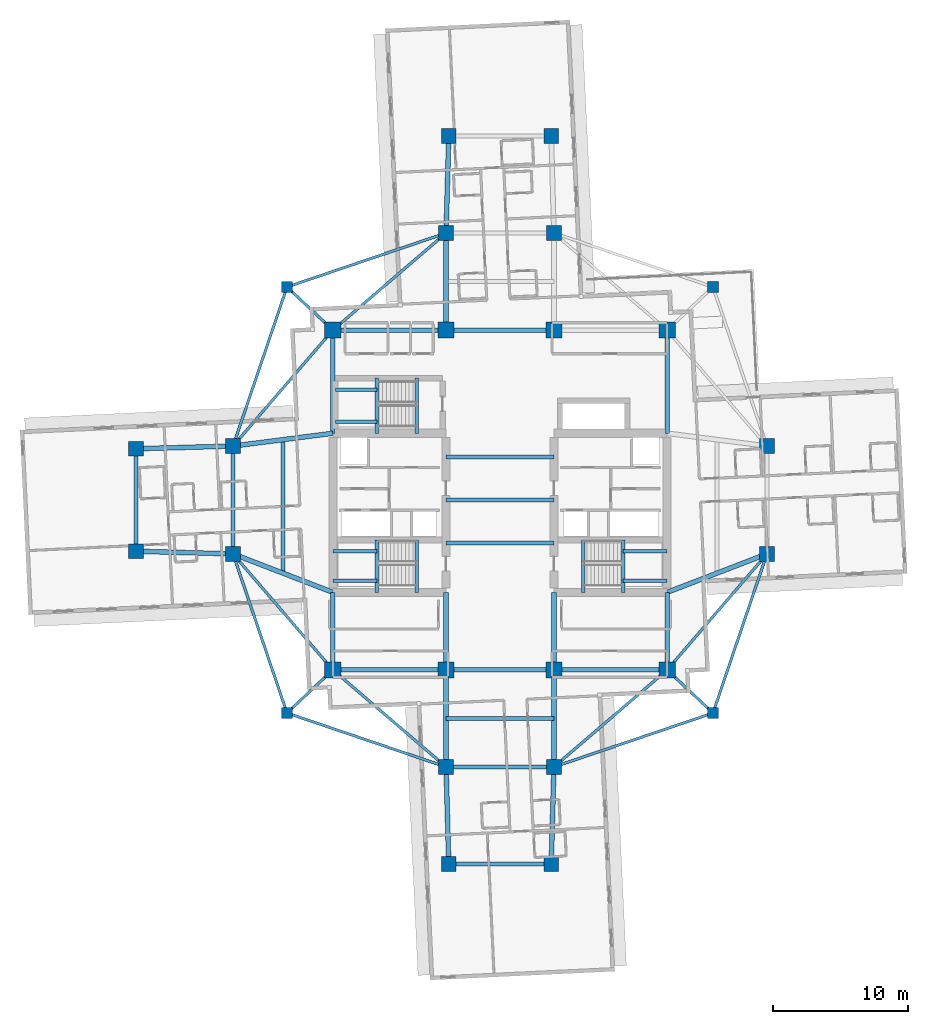
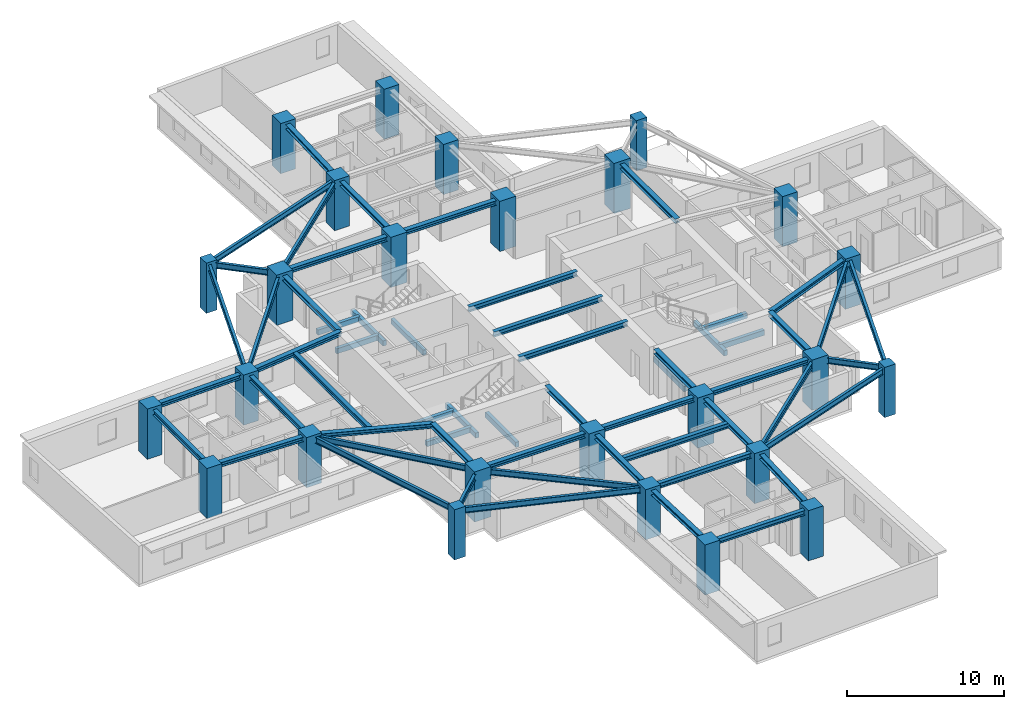
# One storey, part 1 of 14: 58 beams, 26 columns.
"""IFC4 building model written with IfcOpenShell, lengths in metres."""

from ifc_helpers import new_model, si_unit, direction, frame, origin, origin_2d, place, context, subcontext, project, spatial, rectangle, i_section, extrude, material, material_profile, profile_set, type_object, element, save


model = new_model("IFC4")

# Units and contexts
model_context = context("Model", 3, precision=1e-05, world=origin(), true_north=direction((0.0, 1.0)))
body_context = subcontext(model_context, "Body", "Model", "MODEL_VIEW")
ifc_project = project(units=[si_unit("LENGTHUNIT", "METRE"), si_unit("AREAUNIT", "SQUARE_METRE"), si_unit("VOLUMEUNIT", "CUBIC_METRE"), si_unit("PLANEANGLEUNIT", "RADIAN"), si_unit("MASSUNIT", "GRAM", prefix="KILO")], contexts=[model_context])

# Site, building, storey
site_placement = place(None, origin())
site = spatial("IfcSite", under=ifc_project, at=site_placement, CompositionType="ELEMENT")
building_placement = place(site_placement, origin())
building = spatial("IfcBuilding", under=site, at=building_placement, Name="Qingluan Cross Belvedere", CompositionType="ELEMENT")
storey_placement = place(building_placement, frame((0.0, 0.0, 132.0)))
storey = spatial("IfcBuildingStorey", under=building, at=storey_placement, Name="L33", CompositionType="ELEMENT", Elevation=132.0)

# Columns
ifc_material_1 = material(Name="Concrete C60", Category="concrete")
ifc_material_profile_1 = material_profile(ifc_material_1, rectangle(XDim=1.10009765625, YDim=1.10009765625, at=origin_2d()), Name="RC1100x1100")
ifc_profile_set_1 = profile_set([ifc_material_profile_1], Name="Concrete C60")
column_type_1 = type_object("IfcColumnType", Name="Column_RC1100x1100", PredefinedType="COLUMN", material=ifc_profile_set_1)
for number, where, z_axis, x_axis, name in (
    (1, (19.800048828125, -4.0, 0.0), (0.0, 0.0, 1.0), (1.0, 0.0, 0.0), "Arm column L33-EIA"),
    (2, (19.800048828125, 4.0, 0.0), (0.0, 0.0, 1.0), (1.0, 0.0, 0.0), "Arm column L33-EIB"),
    (3, (-19.800048828125, -4.0, 0.0), (0.0, 0.0, 1.0), (1.0, 0.0, 0.0), "Arm column L33-WIA"),
    (4, (-19.800048828125, 4.0, 0.0), (0.0, 0.0, 1.0), (1.0, 0.0, 0.0), "Arm column L33-WIB"),
    (5, (-4.0, -19.800048828125, 0.0), (0.0, 0.0, 1.0), (1.0, 0.0, 0.0), "Arm column L33-SIA"),
    (6, (4.0, -19.800048828125, 0.0), (0.0, 0.0, 1.0), (1.0, 0.0, 0.0), "Arm column L33-SIB"),
    (7, (-4.0, 19.800048828125, 0.0), (0.0, 0.0, 1.0), (1.0, 0.0, 0.0), "Arm column L33-NIA"),
    (8, (4.0, 19.800048828125, 0.0), (0.0, 0.0, 1.0), (1.0, 0.0, 0.0), "Arm column L33-NIB"),
    (9, (-27.0, -3.800048828125, 0.0), (0.0, 0.0, 1.0), (1.0, 0.0, 0.0), "Arm column L33-WOA"),
    (10, (-27.0, 3.800048828125, 0.0), (0.0, 0.0, 1.0), (1.0, 0.0, 0.0), "Arm column L33-WOB"),
    (11, (-3.800048828125, -27.0, 0.0), (0.0, 0.0, 1.0), (1.0, 0.0, 0.0), "Arm column L33-SOA"),
    (12, (3.800048828125, -27.0, 0.0), (0.0, 0.0, 1.0), (1.0, 0.0, 0.0), "Arm column L33-SOB"),
    (13, (-3.800048828125, 27.0, 0.0), (0.0, 0.0, 1.0), (1.0, 0.0, 0.0), "Arm column L33-NOA"),
    (14, (3.800048828125, 27.0, 0.0), (0.0, 0.0, 1.0), (1.0, 0.0, 0.0), "Arm column L33-NOB"),
):
    element("IfcColumn", number, at=place(storey_placement, frame(where, z_axis=z_axis, x_axis=x_axis)), inside=storey, type_object=column_type_1, Name=name, PredefinedType="COLUMN", context=body_context, shape_type="SweptSolid", body=[
        extrude(rectangle(XDim=1.10009765625, YDim=1.10009765625, at=origin_2d()), origin(), (0.0, 0.0, 1.0), 3.89990234375),
    ])
ifc_material_2 = material(Name="Concrete C60", Category="concrete")
ifc_material_profile_2 = material_profile(ifc_material_2, rectangle(XDim=1.199951171875, YDim=1.199951171875, at=origin_2d()), Name="RC1200x1200")
ifc_profile_set_2 = profile_set([ifc_material_profile_2], Name="Concrete C60")
column_type_2 = type_object("IfcColumnType", Name="Column_RC1200x1200", PredefinedType="COLUMN", material=ifc_profile_set_2)
for number, where, z_axis, x_axis, name in (
    (15, (-12.39990234375, -12.60009765625, 0.0), (0.0, 0.0, 1.0), (1.0, 0.0, 0.0), "Hub column L33-HC1"),
    (16, (12.39990234375, -12.60009765625, 0.0), (0.0, 0.0, 1.0), (1.0, 0.0, 0.0), "Hub column L33-HC2"),
    (17, (12.39990234375, 12.60009765625, 0.0), (0.0, 0.0, 1.0), (1.0, 0.0, 0.0), "Hub column L33-HC3"),
    (18, (-12.39990234375, 12.60009765625, 0.0), (0.0, 0.0, 1.0), (1.0, 0.0, 0.0), "Hub column L33-HC4"),
    (19, (-4.0, -12.60009765625, 0.0), (0.0, 0.0, 1.0), (1.0, 0.0, 0.0), "Hub column L33-HC5"),
    (20, (4.0, -12.60009765625, 0.0), (0.0, 0.0, 1.0), (1.0, 0.0, 0.0), "Hub column L33-HC6"),
    (21, (4.0, 12.60009765625, 0.0), (0.0, 0.0, 1.0), (1.0, 0.0, 0.0), "Hub column L33-HC7"),
    (22, (-4.0, 12.60009765625, 0.0), (0.0, 0.0, 1.0), (1.0, 0.0, 0.0), "Hub column L33-HC8"),
):
    element("IfcColumn", number, at=place(storey_placement, frame(where, z_axis=z_axis, x_axis=x_axis)), inside=storey, type_object=column_type_2, Name=name, PredefinedType="COLUMN", context=body_context, shape_type="SweptSolid", body=[
        extrude(rectangle(XDim=1.199951171875, YDim=1.199951171875, at=origin_2d()), origin(), (0.0, 0.0, 1.0), 3.89990234375),
    ])
ifc_material_3 = material(Name="Concrete C50", Category="concrete")
ifc_material_profile_3 = material_profile(ifc_material_3, rectangle(XDim=0.800048828125, YDim=0.800048828125, at=origin_2d()), Name="RC800x800")
ifc_profile_set_3 = profile_set([ifc_material_profile_3], Name="Concrete C50")
column_type_3 = type_object("IfcColumnType", Name="Column_RC800x800", PredefinedType="COLUMN", material=ifc_profile_set_3)
for number, where, z_axis, x_axis, name in (
    (23, (15.800048828125, 15.800048828125, 0.0), (0.0, 0.0, 1.0), (1.0, 0.0, 0.0), "Corner column L33-RNE"),
    (24, (-15.800048828125, 15.800048828125, 0.0), (0.0, 0.0, 1.0), (1.0, 0.0, 0.0), "Corner column L33-RNW"),
    (25, (-15.800048828125, -15.800048828125, 0.0), (0.0, 0.0, 1.0), (1.0, 0.0, 0.0), "Corner column L33-RSW"),
    (26, (15.800048828125, -15.800048828125, 0.0), (0.0, 0.0, 1.0), (1.0, 0.0, 0.0), "Corner column L33-RSE"),
):
    element("IfcColumn", number, at=place(storey_placement, frame(where, z_axis=z_axis, x_axis=x_axis)), inside=storey, type_object=column_type_3, Name=name, PredefinedType="COLUMN", context=body_context, shape_type="SweptSolid", body=[
        extrude(rectangle(XDim=0.800048828125, YDim=0.800048828125, at=origin_2d()), origin(), (0.0, 0.0, 1.0), 3.89990234375),
    ])

# Beams
ifc_material_4 = material(Name="Concrete C45", Category="concrete")
ifc_material_profile_4 = material_profile(ifc_material_4, rectangle(XDim=0.25, YDim=0.39990234375, at=origin_2d()), Name="RC250x400")
ifc_profile_set_4 = profile_set([ifc_material_profile_4], Name="Concrete C45")
beam_type_1 = type_object("IfcBeamType", Name="RC_Lintel_RC250x400", PredefinedType="LINTEL", material=ifc_profile_set_4)
for number, where, z_axis, x_axis, name in (
    (27, (-6.179931640625, -6.85009765625, -0.199951171875), (0.0, 1.0, 0.0), (-1.0, 0.0, 0.0), "Stair ST1 landing beam L33"),
    (28, (6.179931640625, -6.85009765625, -0.199951171875), (0.0, 1.0, 0.0), (-1.0, 0.0, 0.0), "Stair ST2 landing beam L33"),
):
    element("IfcBeam", number, at=place(storey_placement, frame(where, z_axis=z_axis, x_axis=x_axis)), inside=storey, type_object=beam_type_1, Name=name, PredefinedType="LINTEL", context=body_context, shape_type="SweptSolid", body=[
        extrude(rectangle(XDim=0.25, YDim=0.39990234375, at=origin_2d()), origin(), (0.0, 0.0, 1.0), 3.89013671875),
    ])
beam_1_placement = place(storey_placement, frame((-6.179931640625, 4.949951171875, -0.199951171875), z_axis=(0.0, 1.0, 0.0), x_axis=(-1.0, 0.0, 0.0)))
element("IfcBeam", 29, at=beam_1_placement, inside=storey, type_object=beam_type_1, Name="Stair ST3 landing beam L33", PredefinedType="LINTEL", context=body_context, shape_type="SweptSolid", body=[
    extrude(rectangle(XDim=0.25, YDim=0.39990234375, at=origin_2d()), origin(), (0.0, 0.0, 1.0), 4.090087890625),
])
beam_2_placement = place(storey_placement, frame((-9.1298828125, -6.85009765625, 1.550048828125), z_axis=(0.0, 1.0, 0.0), x_axis=(-1.0, 0.0, 0.0)))
element("IfcBeam", 30, at=beam_2_placement, inside=storey, type_object=beam_type_1, Name="Stair ST1 beam A L33", PredefinedType="LINTEL", context=body_context, shape_type="SweptSolid", body=[
    extrude(rectangle(XDim=0.25, YDim=0.39990234375, at=origin_2d()), origin(), (0.0, 0.0, 1.0), 3.89013671875),
])
for number, where, z_axis, x_axis, name in (
    (31, (-12.39990234375, -6.0, 1.550048828125), (1.0, 0.0, 0.0), (0.0, 1.0, 0.0), "Stair ST1 beam B L33"),
    (32, (-12.39990234375, -3.81005859375, 1.550048828125), (1.0, 0.0, 0.0), (0.0, 1.0, 0.0), "Stair ST1 beam C L33"),
):
    element("IfcBeam", number, at=place(storey_placement, frame(where, z_axis=z_axis, x_axis=x_axis)), inside=storey, type_object=beam_type_1, Name=name, PredefinedType="LINTEL", context=body_context, shape_type="SweptSolid", body=[
        extrude(rectangle(XDim=0.25, YDim=0.39990234375, at=origin_2d()), origin(), (0.0, 0.0, 1.0), 3.27001953125),
    ])
beam_3_placement = place(storey_placement, frame((9.1298828125, -6.85009765625, 1.550048828125), z_axis=(0.0, 1.0, 0.0), x_axis=(-1.0, 0.0, 0.0)))
element("IfcBeam", 33, at=beam_3_placement, inside=storey, type_object=beam_type_1, Name="Stair ST2 beam A L33", PredefinedType="LINTEL", context=body_context, shape_type="SweptSolid", body=[
    extrude(rectangle(XDim=0.25, YDim=0.39990234375, at=origin_2d()), origin(), (0.0, 0.0, 1.0), 3.89013671875),
])
for number, where, z_axis, x_axis, name in (
    (34, (12.39990234375, -6.0, 1.550048828125), (-1.0, 0.0, 0.0), (0.0, -1.0, 0.0), "Stair ST2 beam B L33"),
    (35, (12.39990234375, -3.81005859375, 1.550048828125), (-1.0, 0.0, 0.0), (0.0, -1.0, 0.0), "Stair ST2 beam C L33"),
):
    element("IfcBeam", number, at=place(storey_placement, frame(where, z_axis=z_axis, x_axis=x_axis)), inside=storey, type_object=beam_type_1, Name=name, PredefinedType="LINTEL", context=body_context, shape_type="SweptSolid", body=[
        extrude(rectangle(XDim=0.25, YDim=0.39990234375, at=origin_2d()), origin(), (0.0, 0.0, 1.0), 3.27001953125),
    ])
beam_4_placement = place(storey_placement, frame((-9.1298828125, 4.949951171875, 1.550048828125), z_axis=(0.0, 1.0, 0.0), x_axis=(-1.0, 0.0, 0.0)))
element("IfcBeam", 36, at=beam_4_placement, inside=storey, type_object=beam_type_1, Name="Stair ST3 beam A L33", PredefinedType="LINTEL", context=body_context, shape_type="SweptSolid", body=[
    extrude(rectangle(XDim=0.25, YDim=0.39990234375, at=origin_2d()), origin(), (0.0, 0.0, 1.0), 4.090087890625),
])
for number, where, z_axis, x_axis, name in (
    (37, (-12.219970703125, 5.800048828125, 1.550048828125), (1.0, 0.0, 0.0), (0.0, 1.0, 0.0), "Stair ST3 beam B L33"),
    (38, (-12.219970703125, 8.18994140625, 1.550048828125), (1.0, 0.0, 0.0), (0.0, 1.0, 0.0), "Stair ST3 beam C L33"),
):
    element("IfcBeam", number, at=place(storey_placement, frame(where, z_axis=z_axis, x_axis=x_axis)), inside=storey, type_object=beam_type_1, Name=name, PredefinedType="LINTEL", context=body_context, shape_type="SweptSolid", body=[
        extrude(rectangle(XDim=0.25, YDim=0.39990234375, at=origin_2d()), origin(), (0.0, 0.0, 1.0), 3.090087890625),
    ])
ifc_material_5 = material(Name="Steel Q420GJB", Category="steel")
ifc_material_profile_5 = material_profile(ifc_material_5, i_section(OverallWidth=0.300048828125, OverallDepth=0.389892578125, WebThickness=0.010009765625, FlangeThickness=0.01611328125, FilletRadius=0.01806640625, at=origin_2d()), Name="HM390x300x10x16")
ifc_profile_set_5 = profile_set([ifc_material_profile_5], Name="Steel Q420GJB")
beam_type_2 = type_object("IfcBeamType", Name="Steel_Beam_HM390x300x10x16", PredefinedType="BEAM", material=ifc_profile_set_5)
for number, where, z_axis, x_axis, name in (
    (39, (-4.0, -3.199951171875, 3.5048828125), (1.0, 0.0, 0.0), (0.0, 1.0, 0.0), "Hall beam L33-CH1"),
    (40, (-4.0, 0.0, 3.5048828125), (1.0, 0.0, 0.0), (0.0, 1.0, 0.0), "Hall beam L33-CH2"),
    (41, (-4.0, 3.199951171875, 3.5048828125), (1.0, 0.0, 0.0), (0.0, 1.0, 0.0), "Hall beam L33-CH3"),
    (42, (-19.800048828125, -4.0, 3.5048828125), (0.0, 1.0, 0.0), (-1.0, 0.0, 0.0), "Arm W tie L33"),
):
    element("IfcBeam", number, at=place(storey_placement, frame(where, z_axis=z_axis, x_axis=x_axis)), inside=storey, type_object=beam_type_2, Name=name, PredefinedType="BEAM", context=body_context, shape_type="SweptSolid", body=[
        extrude(i_section(OverallWidth=0.300048828125, OverallDepth=0.389892578125, WebThickness=0.010009765625, FlangeThickness=0.01611328125, FilletRadius=0.01806640625, at=origin_2d()), origin(), (0.0, 0.0, 1.0), 8.0),
    ])
beam_5_placement = place(storey_placement, frame((-16.10009765625, -5.425048828125, 3.5048828125), z_axis=(0.0, 1.0, 0.0), x_axis=(-1.0, 0.0, 0.0)))
element("IfcBeam", 43, at=beam_5_placement, inside=storey, type_object=beam_type_2, Name="Arm W beam L33", PredefinedType="BEAM", context=body_context, shape_type="SweptSolid", body=[
    extrude(i_section(OverallWidth=0.300048828125, OverallDepth=0.389892578125, WebThickness=0.010009765625, FlangeThickness=0.01611328125, FilletRadius=0.01806640625, at=origin_2d()), origin(), (0.0, 0.0, 1.0), 9.900146484375),
])
beam_6_placement = place(storey_placement, frame((-27.0, -3.800048828125, 3.5048828125), z_axis=(0.0, 1.0, 0.0), x_axis=(-1.0, 0.0, 0.0)))
element("IfcBeam", 44, at=beam_6_placement, inside=storey, type_object=beam_type_2, Name="Arm W tip transverse beam L33", PredefinedType="BEAM", context=body_context, shape_type="SweptSolid", body=[
    extrude(i_section(OverallWidth=0.300048828125, OverallDepth=0.389892578125, WebThickness=0.010009765625, FlangeThickness=0.01611328125, FilletRadius=0.01806640625, at=origin_2d()), origin(), (0.0, 0.0, 1.0), 7.60009765625),
])
for number, where, z_axis, x_axis, name in (
    (45, (-4.0, -19.800048828125, 3.5048828125), (1.0, 0.0, 0.0), (0.0, 1.0, 0.0), "Arm S tie L33"),
    (46, (-4.0, -16.199951171875, 3.5048828125), (1.0, 0.0, 0.0), (0.0, 1.0, 0.0), "Arm S beam L33"),
):
    element("IfcBeam", number, at=place(storey_placement, frame(where, z_axis=z_axis, x_axis=x_axis)), inside=storey, type_object=beam_type_2, Name=name, PredefinedType="BEAM", context=body_context, shape_type="SweptSolid", body=[
        extrude(i_section(OverallWidth=0.300048828125, OverallDepth=0.389892578125, WebThickness=0.010009765625, FlangeThickness=0.01611328125, FilletRadius=0.01806640625, at=origin_2d()), origin(), (0.0, 0.0, 1.0), 8.0),
    ])
beam_7_placement = place(storey_placement, frame((-3.800048828125, -27.0, 3.5048828125), z_axis=(1.0, 0.0, 0.0), x_axis=(0.0, 1.0, 0.0)))
element("IfcBeam", 47, at=beam_7_placement, inside=storey, type_object=beam_type_2, Name="Arm S tip transverse beam L33", PredefinedType="BEAM", context=body_context, shape_type="SweptSolid", body=[
    extrude(i_section(OverallWidth=0.300048828125, OverallDepth=0.389892578125, WebThickness=0.010009765625, FlangeThickness=0.01611328125, FilletRadius=0.01806640625, at=origin_2d()), origin(), (0.0, 0.0, 1.0), 7.60009765625),
])
ifc_material_6 = material(Name="Steel Q420GJB", Category="steel")
ifc_material_profile_6 = material_profile(ifc_material_6, i_section(OverallWidth=0.199951171875, OverallDepth=0.449951171875, WebThickness=0.009033203125, FlangeThickness=0.013916015625, FilletRadius=0.01611328125, at=origin_2d()), Name="HN450x200x9x14")
ifc_profile_set_6 = profile_set([ifc_material_profile_6], Name="Steel Q420GJB")
beam_type_3 = type_object("IfcBeamType", Name="Steel_Beam_HN450x200x9x14", PredefinedType="JOIST", material=ifc_profile_set_6)
beam_8_placement = place(storey_placement, frame((-12.39990234375, 12.60009765625, 3.47509765625), z_axis=(-0.728219948308, 0.685343495546, 0.0), x_axis=(-0.685343495546, -0.728219948308, 0.0)))
element("IfcBeam", 48, at=beam_8_placement, inside=storey, type_object=beam_type_3, Name="Corner beam 1 L33-RNW", PredefinedType="JOIST", context=body_context, shape_type="SweptSolid", body=[
    extrude(i_section(OverallWidth=0.199951171875, OverallDepth=0.449951171875, WebThickness=0.009033203125, FlangeThickness=0.013916015625, FilletRadius=0.01611328125, at=origin_2d()), origin(), (0.0, 0.0, 1.0), 4.669189453125),
])
for number, where, z_axis, x_axis, name in (
    (49, (-15.800048828125, 15.800048828125, 3.47509765625), (0.947066283324, 0.321038089628, 0.0), (-0.321038089628, 0.947066283324, 0.0), "Corner beam 2 L33-RNW"),
    (50, (-15.800048828125, 15.800048828125, 3.47509765625), (-0.321038089628, -0.947066283324, 0.0), (0.947066283324, -0.321038089628, 0.0), "Corner beam 3 L33-RNW"),
):
    element("IfcBeam", number, at=place(storey_placement, frame(where, z_axis=z_axis, x_axis=x_axis)), inside=storey, type_object=beam_type_3, Name=name, PredefinedType="JOIST", context=body_context, shape_type="SweptSolid", body=[
        extrude(i_section(OverallWidth=0.199951171875, OverallDepth=0.449951171875, WebThickness=0.009033203125, FlangeThickness=0.013916015625, FilletRadius=0.01611328125, at=origin_2d()), origin(), (0.0, 0.0, 1.0), 12.45947265625),
    ])
beam_9_placement = place(storey_placement, frame((-12.39990234375, 12.60009765625, 3.47509765625), z_axis=(-0.652245077546, -0.75800815221, 0.0), x_axis=(0.75800815221, -0.652245077546, 0.0)))
element("IfcBeam", 51, at=beam_9_placement, inside=storey, type_object=beam_type_3, Name="Corner beam 4 L33-RNW", PredefinedType="JOIST", context=body_context, shape_type="SweptSolid", body=[
    extrude(i_section(OverallWidth=0.199951171875, OverallDepth=0.449951171875, WebThickness=0.009033203125, FlangeThickness=0.013916015625, FilletRadius=0.01611328125, at=origin_2d()), origin(), (0.0, 0.0, 1.0), 11.345703125),
])
beam_10_placement = place(storey_placement, frame((-12.39990234375, 12.60009765625, 3.47509765625), z_axis=(0.759255044656, 0.650793190779, 0.0), x_axis=(-0.650793190779, 0.759255044656, 0.0)))
element("IfcBeam", 52, at=beam_10_placement, inside=storey, type_object=beam_type_3, Name="Corner beam 5 L33-RNW", PredefinedType="JOIST", context=body_context, shape_type="SweptSolid", body=[
    extrude(i_section(OverallWidth=0.199951171875, OverallDepth=0.449951171875, WebThickness=0.009033203125, FlangeThickness=0.013916015625, FilletRadius=0.01611328125, at=origin_2d()), origin(), (0.0, 0.0, 1.0), 11.063232421875),
])
beam_11_placement = place(storey_placement, frame((-12.39990234375, -12.60009765625, 3.47509765625), z_axis=(-0.728219948308, -0.685343495546, 0.0), x_axis=(0.685343495546, -0.728219948308, 0.0)))
element("IfcBeam", 53, at=beam_11_placement, inside=storey, type_object=beam_type_3, Name="Corner beam 1 L33-RSW", PredefinedType="JOIST", context=body_context, shape_type="SweptSolid", body=[
    extrude(i_section(OverallWidth=0.199951171875, OverallDepth=0.449951171875, WebThickness=0.009033203125, FlangeThickness=0.013916015625, FilletRadius=0.01611328125, at=origin_2d()), origin(), (0.0, 0.0, 1.0), 4.669189453125),
])
for number, where, z_axis, x_axis, name in (
    (54, (-15.800048828125, -15.800048828125, 3.47509765625), (0.947066283324, -0.321038089628, 0.0), (0.321038089628, 0.947066283324, 0.0), "Corner beam 2 L33-RSW"),
    (55, (-15.800048828125, -15.800048828125, 3.47509765625), (-0.321038089628, 0.947066283324, 0.0), (-0.947066283324, -0.321038089628, 0.0), "Corner beam 3 L33-RSW"),
):
    element("IfcBeam", number, at=place(storey_placement, frame(where, z_axis=z_axis, x_axis=x_axis)), inside=storey, type_object=beam_type_3, Name=name, PredefinedType="JOIST", context=body_context, shape_type="SweptSolid", body=[
        extrude(i_section(OverallWidth=0.199951171875, OverallDepth=0.449951171875, WebThickness=0.009033203125, FlangeThickness=0.013916015625, FilletRadius=0.01611328125, at=origin_2d()), origin(), (0.0, 0.0, 1.0), 12.45947265625),
    ])
beam_12_placement = place(storey_placement, frame((-12.39990234375, -12.60009765625, 3.47509765625), z_axis=(-0.652245077546, 0.75800815221, 0.0), x_axis=(-0.75800815221, -0.652245077546, 0.0)))
element("IfcBeam", 56, at=beam_12_placement, inside=storey, type_object=beam_type_3, Name="Corner beam 4 L33-RSW", PredefinedType="JOIST", context=body_context, shape_type="SweptSolid", body=[
    extrude(i_section(OverallWidth=0.199951171875, OverallDepth=0.449951171875, WebThickness=0.009033203125, FlangeThickness=0.013916015625, FilletRadius=0.01611328125, at=origin_2d()), origin(), (0.0, 0.0, 1.0), 11.345703125),
])
beam_13_placement = place(storey_placement, frame((-12.39990234375, -12.60009765625, 3.47509765625), z_axis=(0.759255044656, -0.650793190779, 0.0), x_axis=(0.650793190779, 0.759255044656, 0.0)))
element("IfcBeam", 57, at=beam_13_placement, inside=storey, type_object=beam_type_3, Name="Corner beam 5 L33-RSW", PredefinedType="JOIST", context=body_context, shape_type="SweptSolid", body=[
    extrude(i_section(OverallWidth=0.199951171875, OverallDepth=0.449951171875, WebThickness=0.009033203125, FlangeThickness=0.013916015625, FilletRadius=0.01611328125, at=origin_2d()), origin(), (0.0, 0.0, 1.0), 11.063232421875),
])
beam_14_placement = place(storey_placement, frame((12.39990234375, -12.60009765625, 3.47509765625), z_axis=(0.728219948308, -0.685343495546, 0.0), x_axis=(0.685343495546, 0.728219948308, 0.0)))
element("IfcBeam", 58, at=beam_14_placement, inside=storey, type_object=beam_type_3, Name="Corner beam 1 L33-RSE", PredefinedType="JOIST", context=body_context, shape_type="SweptSolid", body=[
    extrude(i_section(OverallWidth=0.199951171875, OverallDepth=0.449951171875, WebThickness=0.009033203125, FlangeThickness=0.013916015625, FilletRadius=0.01611328125, at=origin_2d()), origin(), (0.0, 0.0, 1.0), 4.669189453125),
])
for number, where, z_axis, x_axis, name in (
    (59, (15.800048828125, -15.800048828125, 3.47509765625), (-0.947066283324, -0.321038089628, 0.0), (0.321038089628, -0.947066283324, 0.0), "Corner beam 2 L33-RSE"),
    (60, (15.800048828125, -15.800048828125, 3.47509765625), (0.321038089628, 0.947066283324, 0.0), (-0.947066283324, 0.321038089628, 0.0), "Corner beam 3 L33-RSE"),
):
    element("IfcBeam", number, at=place(storey_placement, frame(where, z_axis=z_axis, x_axis=x_axis)), inside=storey, type_object=beam_type_3, Name=name, PredefinedType="JOIST", context=body_context, shape_type="SweptSolid", body=[
        extrude(i_section(OverallWidth=0.199951171875, OverallDepth=0.449951171875, WebThickness=0.009033203125, FlangeThickness=0.013916015625, FilletRadius=0.01611328125, at=origin_2d()), origin(), (0.0, 0.0, 1.0), 12.45947265625),
    ])
beam_15_placement = place(storey_placement, frame((12.39990234375, -12.60009765625, 3.47509765625), z_axis=(0.652245077546, 0.75800815221, 0.0), x_axis=(-0.75800815221, 0.652245077546, 0.0)))
element("IfcBeam", 61, at=beam_15_placement, inside=storey, type_object=beam_type_3, Name="Corner beam 4 L33-RSE", PredefinedType="JOIST", context=body_context, shape_type="SweptSolid", body=[
    extrude(i_section(OverallWidth=0.199951171875, OverallDepth=0.449951171875, WebThickness=0.009033203125, FlangeThickness=0.013916015625, FilletRadius=0.01611328125, at=origin_2d()), origin(), (0.0, 0.0, 1.0), 11.345703125),
])
beam_16_placement = place(storey_placement, frame((12.39990234375, -12.60009765625, 3.47509765625), z_axis=(-0.759255044656, -0.650793190779, 0.0), x_axis=(0.650793190779, -0.759255044656, 0.0)))
element("IfcBeam", 62, at=beam_16_placement, inside=storey, type_object=beam_type_3, Name="Corner beam 5 L33-RSE", PredefinedType="JOIST", context=body_context, shape_type="SweptSolid", body=[
    extrude(i_section(OverallWidth=0.199951171875, OverallDepth=0.449951171875, WebThickness=0.009033203125, FlangeThickness=0.013916015625, FilletRadius=0.01611328125, at=origin_2d()), origin(), (0.0, 0.0, 1.0), 11.063232421875),
])
ifc_material_7 = material(Name="Steel Q420GJB", Category="steel")
ifc_material_profile_7 = material_profile(ifc_material_7, i_section(OverallWidth=0.35009765625, OverallDepth=0.35009765625, WebThickness=0.011962890625, FlangeThickness=0.01904296875, FilletRadius=0.02001953125, at=origin_2d()), Name="HW350x350x12x19")
ifc_profile_set_7 = profile_set([ifc_material_profile_7], Name="Steel Q420GJB")
beam_type_4 = type_object("IfcBeamType", Name="Steel_Girder_HW350x350x12x19", PredefinedType="USERDEFINED", material=ifc_profile_set_7)
beam_17_placement = place(storey_placement, frame((-12.39990234375, -12.60009765625, 3.52490234375), z_axis=(1.0, 0.0, 0.0), x_axis=(0.0, 1.0, 0.0)))
element("IfcBeam", 63, at=beam_17_placement, inside=storey, type_object=beam_type_4, Name="Hub girder L33-HG-S1", ObjectType="GIRDER", PredefinedType="USERDEFINED", context=body_context, shape_type="SweptSolid", body=[
    extrude(i_section(OverallWidth=0.35009765625, OverallDepth=0.35009765625, WebThickness=0.011962890625, FlangeThickness=0.01904296875, FilletRadius=0.02001953125, at=origin_2d()), origin(), (0.0, 0.0, 1.0), 8.39990234375),
])
beam_18_placement = place(storey_placement, frame((-4.0, -12.60009765625, 3.52490234375), z_axis=(1.0, 0.0, 0.0), x_axis=(0.0, 1.0, 0.0)))
element("IfcBeam", 64, at=beam_18_placement, inside=storey, type_object=beam_type_4, Name="Hub girder L33-HG-S2", ObjectType="GIRDER", PredefinedType="USERDEFINED", context=body_context, shape_type="SweptSolid", body=[
    extrude(i_section(OverallWidth=0.35009765625, OverallDepth=0.35009765625, WebThickness=0.011962890625, FlangeThickness=0.01904296875, FilletRadius=0.02001953125, at=origin_2d()), origin(), (0.0, 0.0, 1.0), 8.0),
])
for number, where, z_axis, x_axis, name in (
    (65, (4.0, -12.60009765625, 3.52490234375), (1.0, 0.0, 0.0), (0.0, 1.0, 0.0), "Hub girder L33-HG-S3"),
    (66, (-12.39990234375, 12.60009765625, 3.52490234375), (1.0, 0.0, 0.0), (0.0, 1.0, 0.0), "Hub girder L33-HG-N1"),
):
    element("IfcBeam", number, at=place(storey_placement, frame(where, z_axis=z_axis, x_axis=x_axis)), inside=storey, type_object=beam_type_4, Name=name, ObjectType="GIRDER", PredefinedType="USERDEFINED", context=body_context, shape_type="SweptSolid", body=[
        extrude(i_section(OverallWidth=0.35009765625, OverallDepth=0.35009765625, WebThickness=0.011962890625, FlangeThickness=0.01904296875, FilletRadius=0.02001953125, at=origin_2d()), origin(), (0.0, 0.0, 1.0), 8.39990234375),
    ])
beam_19_placement = place(storey_placement, frame((-4.0, 12.60009765625, 3.52490234375), z_axis=(1.0, 0.0, 0.0), x_axis=(0.0, 1.0, 0.0)))
element("IfcBeam", 67, at=beam_19_placement, inside=storey, type_object=beam_type_4, Name="Hub girder L33-HG-N2", ObjectType="GIRDER", PredefinedType="USERDEFINED", context=body_context, shape_type="SweptSolid", body=[
    extrude(i_section(OverallWidth=0.35009765625, OverallDepth=0.35009765625, WebThickness=0.011962890625, FlangeThickness=0.01904296875, FilletRadius=0.02001953125, at=origin_2d()), origin(), (0.0, 0.0, 1.0), 8.0),
])
beam_20_placement = place(storey_placement, frame((-12.39990234375, -12.60009765625, 3.52490234375), z_axis=(0.0, 1.0, 0.0), x_axis=(-1.0, 0.0, 0.0)))
element("IfcBeam", 68, at=beam_20_placement, inside=storey, type_object=beam_type_4, Name="Hub girder L33-HG-W1", ObjectType="GIRDER", PredefinedType="USERDEFINED", context=body_context, shape_type="SweptSolid", body=[
    extrude(i_section(OverallWidth=0.35009765625, OverallDepth=0.35009765625, WebThickness=0.011962890625, FlangeThickness=0.01904296875, FilletRadius=0.02001953125, at=origin_2d()), origin(), (0.0, 0.0, 1.0), 5.75),
])
beam_21_placement = place(storey_placement, frame((-12.39990234375, 4.949951171875, 3.52490234375), z_axis=(0.0, 1.0, 0.0), x_axis=(-1.0, 0.0, 0.0)))
element("IfcBeam", 69, at=beam_21_placement, inside=storey, type_object=beam_type_4, Name="Hub girder L33-HG-W2", ObjectType="GIRDER", PredefinedType="USERDEFINED", context=body_context, shape_type="SweptSolid", body=[
    extrude(i_section(OverallWidth=0.35009765625, OverallDepth=0.35009765625, WebThickness=0.011962890625, FlangeThickness=0.01904296875, FilletRadius=0.02001953125, at=origin_2d()), origin(), (0.0, 0.0, 1.0), 7.650146484375),
])
beam_22_placement = place(storey_placement, frame((12.39990234375, -12.60009765625, 3.52490234375), z_axis=(0.0, 1.0, 0.0), x_axis=(-1.0, 0.0, 0.0)))
element("IfcBeam", 70, at=beam_22_placement, inside=storey, type_object=beam_type_4, Name="Hub girder L33-HG-E1", ObjectType="GIRDER", PredefinedType="USERDEFINED", context=body_context, shape_type="SweptSolid", body=[
    extrude(i_section(OverallWidth=0.35009765625, OverallDepth=0.35009765625, WebThickness=0.011962890625, FlangeThickness=0.01904296875, FilletRadius=0.02001953125, at=origin_2d()), origin(), (0.0, 0.0, 1.0), 5.75),
])
beam_23_placement = place(storey_placement, frame((12.39990234375, 4.949951171875, 3.52490234375), z_axis=(0.0, 1.0, 0.0), x_axis=(-1.0, 0.0, 0.0)))
element("IfcBeam", 71, at=beam_23_placement, inside=storey, type_object=beam_type_4, Name="Hub girder L33-HG-E2", ObjectType="GIRDER", PredefinedType="USERDEFINED", context=body_context, shape_type="SweptSolid", body=[
    extrude(i_section(OverallWidth=0.35009765625, OverallDepth=0.35009765625, WebThickness=0.011962890625, FlangeThickness=0.01904296875, FilletRadius=0.02001953125, at=origin_2d()), origin(), (0.0, 0.0, 1.0), 7.650146484375),
])
for number, where, z_axis, x_axis, name in (
    (72, (-4.0, -12.60009765625, 3.52490234375), (0.0, 1.0, 0.0), (-1.0, 0.0, 0.0), "Hub girder L33-HG-CW"),
    (73, (4.0, -12.60009765625, 3.52490234375), (0.0, 1.0, 0.0), (-1.0, 0.0, 0.0), "Hub girder L33-HG-CE"),
):
    element("IfcBeam", number, at=place(storey_placement, frame(where, z_axis=z_axis, x_axis=x_axis)), inside=storey, type_object=beam_type_4, Name=name, ObjectType="GIRDER", PredefinedType="USERDEFINED", context=body_context, shape_type="SweptSolid", body=[
        extrude(i_section(OverallWidth=0.35009765625, OverallDepth=0.35009765625, WebThickness=0.011962890625, FlangeThickness=0.01904296875, FilletRadius=0.02001953125, at=origin_2d()), origin(), (0.0, 0.0, 1.0), 5.75),
    ])
for number, where, z_axis, x_axis, name in (
    (74, (12.39990234375, -6.85009765625, 3.52490234375), (0.933181258889, 0.359406090735, 0.0), (-0.359406090735, 0.933181258889, 0.0), "Arm E radial girder A L33"),
    (75, (-12.39990234375, -6.85009765625, 3.52490234375), (-0.933181258889, 0.359406090735, 0.0), (-0.359406090735, -0.933181258889, 0.0), "Arm W radial girder A L33"),
):
    element("IfcBeam", number, at=place(storey_placement, frame(where, z_axis=z_axis, x_axis=x_axis)), inside=storey, type_object=beam_type_4, Name=name, ObjectType="GIRDER", PredefinedType="USERDEFINED", context=body_context, shape_type="SweptSolid", body=[
        extrude(i_section(OverallWidth=0.35009765625, OverallDepth=0.35009765625, WebThickness=0.011962890625, FlangeThickness=0.01904296875, FilletRadius=0.02001953125, at=origin_2d()), origin(), (0.0, 0.0, 1.0), 7.929931640625),
    ])
beam_24_placement = place(storey_placement, frame((-12.39990234375, 4.949951171875, 3.52490234375), z_axis=(-0.991861120628, -0.12732445714, 0.0), x_axis=(0.12732445714, -0.991861120628, 0.0)))
element("IfcBeam", 76, at=beam_24_placement, inside=storey, type_object=beam_type_4, Name="Arm W radial girder B L33", ObjectType="GIRDER", PredefinedType="USERDEFINED", context=body_context, shape_type="SweptSolid", body=[
    extrude(i_section(OverallWidth=0.35009765625, OverallDepth=0.35009765625, WebThickness=0.011962890625, FlangeThickness=0.01904296875, FilletRadius=0.02001953125, at=origin_2d()), origin(), (0.0, 0.0, 1.0), 7.4609375),
])
for number, where, z_axis, x_axis, name in (
    (77, (-19.800048828125, -4.0, 3.52490234375), (-0.999614603568, 0.027760481514, 0.0), (-0.027760481514, -0.999614603568, 0.0), "Arm W outer radial girder A L33"),
    (78, (-19.800048828125, 4.0, 3.52490234375), (-0.999614603568, -0.027760481514, 0.0), (0.027760481514, -0.999614603568, 0.0), "Arm W outer radial girder B L33"),
):
    element("IfcBeam", number, at=place(storey_placement, frame(where, z_axis=z_axis, x_axis=x_axis)), inside=storey, type_object=beam_type_4, Name=name, ObjectType="GIRDER", PredefinedType="USERDEFINED", context=body_context, shape_type="SweptSolid", body=[
        extrude(i_section(OverallWidth=0.35009765625, OverallDepth=0.35009765625, WebThickness=0.011962890625, FlangeThickness=0.01904296875, FilletRadius=0.02001953125, at=origin_2d()), origin(), (0.0, 0.0, 1.0), 7.20263671875),
    ])
beam_25_placement = place(storey_placement, frame((-4.0, 12.60009765625, 3.52490234375), z_axis=(0.0, 1.0, 0.0), x_axis=(-1.0, 0.0, 0.0)))
element("IfcBeam", 79, at=beam_25_placement, inside=storey, type_object=beam_type_4, Name="Arm N radial girder A L33", ObjectType="GIRDER", PredefinedType="USERDEFINED", context=body_context, shape_type="SweptSolid", body=[
    extrude(i_section(OverallWidth=0.35009765625, OverallDepth=0.35009765625, WebThickness=0.011962890625, FlangeThickness=0.01904296875, FilletRadius=0.02001953125, at=origin_2d()), origin(), (0.0, 0.0, 1.0), 7.199951171875),
])
beam_26_placement = place(storey_placement, frame((-4.0, 19.800048828125, 3.52490234375), z_axis=(0.027760481514, 0.999614603568, 0.0), x_axis=(-0.999614603568, 0.027760481514, 0.0)))
element("IfcBeam", 80, at=beam_26_placement, inside=storey, type_object=beam_type_4, Name="Arm N outer radial girder A L33", ObjectType="GIRDER", PredefinedType="USERDEFINED", context=body_context, shape_type="SweptSolid", body=[
    extrude(i_section(OverallWidth=0.35009765625, OverallDepth=0.35009765625, WebThickness=0.011962890625, FlangeThickness=0.01904296875, FilletRadius=0.02001953125, at=origin_2d()), origin(), (0.0, 0.0, 1.0), 7.20263671875),
])
for number, where, z_axis, x_axis, name in (
    (81, (-4.0, -12.60009765625, 3.52490234375), (0.0, -1.0, 0.0), (1.0, 0.0, 0.0), "Arm S radial girder A L33"),
    (82, (4.0, -12.60009765625, 3.52490234375), (0.0, -1.0, 0.0), (1.0, 0.0, 0.0), "Arm S radial girder B L33"),
):
    element("IfcBeam", number, at=place(storey_placement, frame(where, z_axis=z_axis, x_axis=x_axis)), inside=storey, type_object=beam_type_4, Name=name, ObjectType="GIRDER", PredefinedType="USERDEFINED", context=body_context, shape_type="SweptSolid", body=[
        extrude(i_section(OverallWidth=0.35009765625, OverallDepth=0.35009765625, WebThickness=0.011962890625, FlangeThickness=0.01904296875, FilletRadius=0.02001953125, at=origin_2d()), origin(), (0.0, 0.0, 1.0), 7.199951171875),
    ])
for number, where, z_axis, x_axis, name in (
    (83, (-4.0, -19.800048828125, 3.52490234375), (0.027760481514, -0.999614603568, 0.0), (0.999614603568, 0.027760481514, 0.0), "Arm S outer radial girder A L33"),
    (84, (4.0, -19.800048828125, 3.52490234375), (-0.027760481514, -0.999614603568, 0.0), (0.999614603568, -0.027760481514, 0.0), "Arm S outer radial girder B L33"),
):
    element("IfcBeam", number, at=place(storey_placement, frame(where, z_axis=z_axis, x_axis=x_axis)), inside=storey, type_object=beam_type_4, Name=name, ObjectType="GIRDER", PredefinedType="USERDEFINED", context=body_context, shape_type="SweptSolid", body=[
        extrude(i_section(OverallWidth=0.35009765625, OverallDepth=0.35009765625, WebThickness=0.011962890625, FlangeThickness=0.01904296875, FilletRadius=0.02001953125, at=origin_2d()), origin(), (0.0, 0.0, 1.0), 7.20263671875),
    ])

save(model, "model.ifc")
